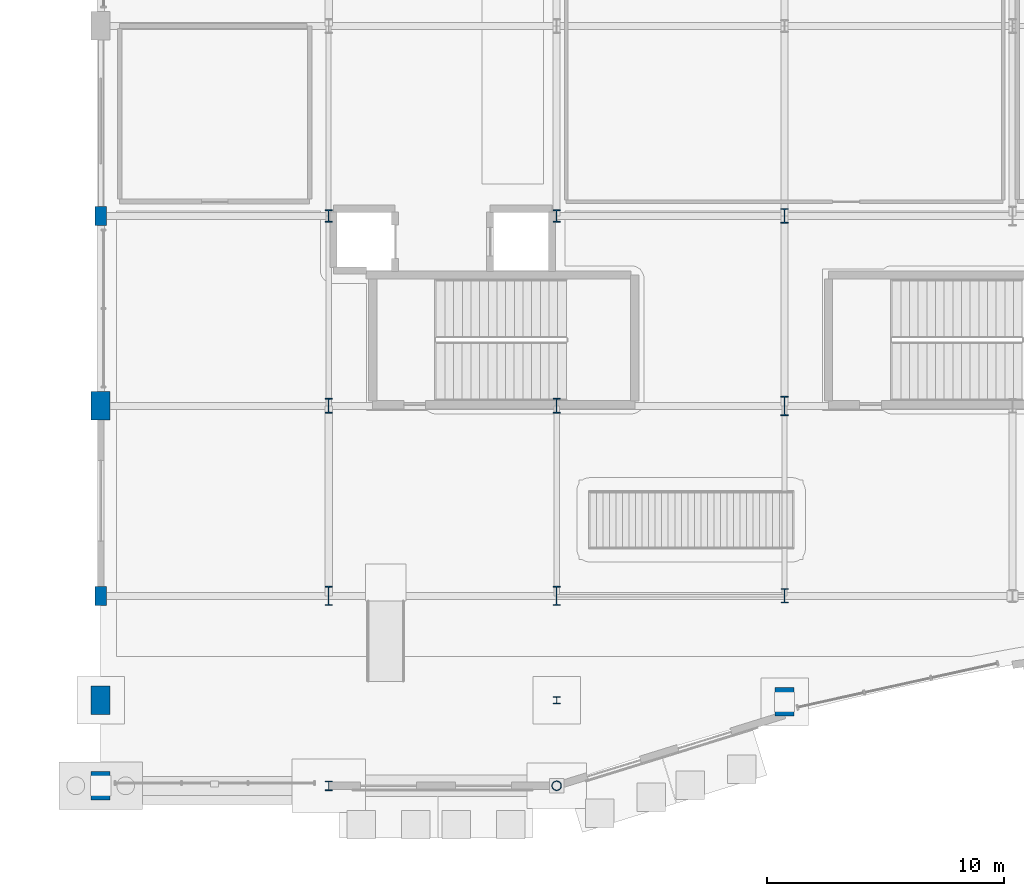
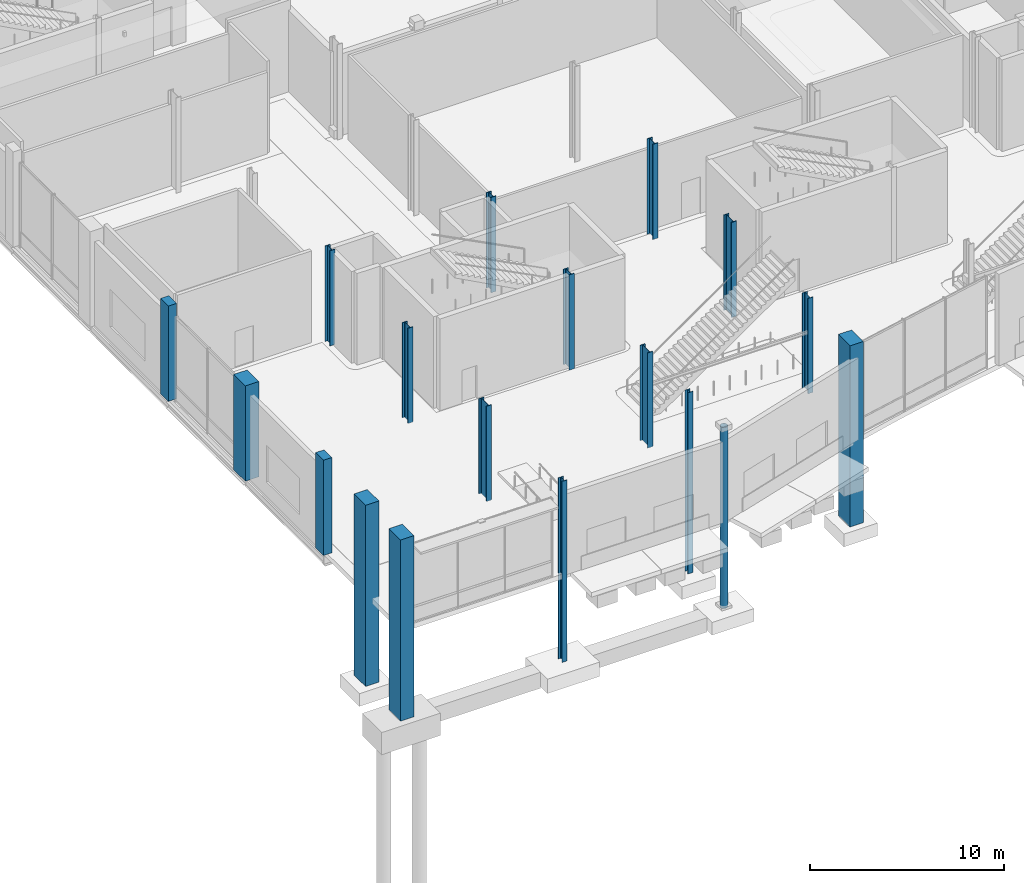
# One storey, part 6 of 124: 18 columns.
"""IFC4 building model written with IfcOpenShell, lengths in metres."""

from ifc_helpers import new_model, si_unit, direction, frame, origin, origin_2d, place, context, subcontext, project, spatial, rectangle, hollow_circle, i_section, extrude, material, material_profile, profile_set, type_object, element, save


model = new_model("IFC4")

# Units and contexts
model_context = context("Model", 3, precision=1e-05, world=origin(), true_north=direction((0.0, 1.0)))
body_context = subcontext(model_context, "Body", "Model", "MODEL_VIEW")
ifc_project = project(units=[si_unit("LENGTHUNIT", "METRE"), si_unit("AREAUNIT", "SQUARE_METRE"), si_unit("VOLUMEUNIT", "CUBIC_METRE"), si_unit("PLANEANGLEUNIT", "RADIAN"), si_unit("MASSUNIT", "GRAM", prefix="KILO")], contexts=[model_context])

# Site, building, storey
site_placement = place(None, origin())
site = spatial("IfcSite", under=ifc_project, at=site_placement, CompositionType="ELEMENT")
building_placement = place(site_placement, origin())
building = spatial("IfcBuilding", under=site, at=building_placement, Name="Danafjord Basin Convention Centre", CompositionType="ELEMENT")
storey_placement = place(building_placement, origin())
storey = spatial("IfcBuildingStorey", under=building, at=storey_placement, Name="L00", CompositionType="ELEMENT", Elevation=0.0)

# Columns
ifc_material_1 = material(Name="Steel S355", Category="steel")
ifc_material_profile_1 = material_profile(ifc_material_1, hollow_circle(Radius=0.203125, WallThickness=0.02001953125, at=origin_2d()), Name="CHS 406.4x20.0")
ifc_profile_set_1 = profile_set([ifc_material_profile_1], Name="Steel S355")
column_type_1 = type_object("IfcColumnType", Name="COL-C-CHS406", PredefinedType="COLUMN", material=ifc_profile_set_1)
column_1_placement = place(storey_placement, frame((19.199951171875, 0.0, -5.39990234375), z_axis=(0.0, 0.0, 1.0), x_axis=(1.0, 0.0, 0.0)))
element("IfcColumn", 1, at=column_1_placement, inside=storey, type_object=column_type_1, Name="L00 column C-CHS406 at (19.2, 0.0)", PredefinedType="COLUMN", context=body_context, shape_type="SweptSolid", body=[
    extrude(hollow_circle(Radius=0.203125, WallThickness=0.02001953125, at=origin_2d()), origin(), (0.0, 0.0, 1.0), 11.39990234375),
])
ifc_material_profile_2 = material_profile(ifc_material_1, i_section(OverallWidth=0.300048828125, OverallDepth=0.300048828125, WebThickness=0.010986328125, FlangeThickness=0.01904296875, FilletRadius=0.027099609375, at=origin_2d()), Name="HEB 300")
ifc_profile_set_2 = profile_set([ifc_material_profile_2], Name="Steel S355")
column_type_2 = type_object("IfcColumnType", Name="COL-C-HEB300", PredefinedType="COLUMN", material=ifc_profile_set_2)
column_2_placement = place(storey_placement, frame((19.199951171875, 3.60009765625, -5.39990234375), z_axis=(0.0, 0.0, 1.0), x_axis=(1.0, 0.0, 0.0)))
element("IfcColumn", 2, at=column_2_placement, inside=storey, type_object=column_type_2, Name="L00 column C-HEB300 at (19.2, 3.6)", PredefinedType="COLUMN", context=body_context, shape_type="SweptSolid", body=[
    extrude(i_section(OverallWidth=0.300048828125, OverallDepth=0.300048828125, WebThickness=0.010986328125, FlangeThickness=0.01904296875, FilletRadius=0.027099609375, at=origin_2d()), origin(), (0.0, 0.0, 1.0), 11.39990234375),
])
ifc_material_profile_3 = material_profile(ifc_material_1, i_section(OverallWidth=0.300048828125, OverallDepth=0.39990234375, WebThickness=0.013427734375, FlangeThickness=0.02392578125, FilletRadius=0.027099609375, at=origin_2d()), Name="HEB 400")
ifc_profile_set_3 = profile_set([ifc_material_profile_3], Name="Steel S355")
column_type_3 = type_object("IfcColumnType", Name="COL-C-HEB400", PredefinedType="COLUMN", material=ifc_profile_set_3)
column_3_placement = place(storey_placement, frame((9.60009765625, 0.0, -5.39990234375), z_axis=(0.0, 0.0, 1.0), x_axis=(1.0, 0.0, 0.0)))
element("IfcColumn", 3, at=column_3_placement, inside=storey, type_object=column_type_3, Name="L00 column C-HEB400 at (9.6, 0.0)", PredefinedType="COLUMN", context=body_context, shape_type="SweptSolid", body=[
    extrude(i_section(OverallWidth=0.300048828125, OverallDepth=0.39990234375, WebThickness=0.013427734375, FlangeThickness=0.02392578125, FilletRadius=0.027099609375, at=origin_2d()), origin(), (0.0, 0.0, 1.0), 11.39990234375),
])
ifc_material_profile_4 = material_profile(ifc_material_1, i_section(OverallWidth=0.300048828125, OverallDepth=0.60009765625, WebThickness=0.015380859375, FlangeThickness=0.030029296875, FilletRadius=0.027099609375, at=origin_2d()), Name="HEB 600")
ifc_profile_set_4 = profile_set([ifc_material_profile_4], Name="Steel S355")
column_type_4 = type_object("IfcColumnType", Name="COL-C-HEB600", PredefinedType="COLUMN", material=ifc_profile_set_4)
column_4_placement = place(storey_placement, frame((28.800048828125, 8.0, 0.0), z_axis=(0.0, 0.0, 1.0), x_axis=(1.0, 0.0, 0.0)))
element("IfcColumn", 4, at=column_4_placement, inside=storey, type_object=column_type_4, Name="L00 column C-HEB600 at (28.8, 8.0)", PredefinedType="COLUMN", context=body_context, shape_type="SweptSolid", body=[
    extrude(i_section(OverallWidth=0.300048828125, OverallDepth=0.60009765625, WebThickness=0.015380859375, FlangeThickness=0.030029296875, FilletRadius=0.027099609375, at=origin_2d()), origin(), (0.0, 0.0, 1.0), 6.0),
])
ifc_material_profile_5 = material_profile(ifc_material_1, i_section(OverallWidth=0.305908203125, OverallDepth=0.52392578125, WebThickness=0.02099609375, FlangeThickness=0.0400390625, FilletRadius=0.027099609375, at=origin_2d()), Name="HEM 500")
ifc_profile_set_5 = profile_set([ifc_material_profile_5], Name="Steel S355")
column_type_5 = type_object("IfcColumnType", Name="COL-C-HEM500", PredefinedType="COLUMN", material=ifc_profile_set_5)
for number, where, z_axis, x_axis, name in (
    (5, (9.60009765625, 24.0, 0.0), (0.0, 0.0, 1.0), (1.0, 0.0, 0.0), "L00 column C-HEM500 at (9.6, 24.0)"),
    (6, (19.199951171875, 24.0, 0.0), (0.0, 0.0, 1.0), (1.0, 0.0, 0.0), "L00 column C-HEM500 at (19.2, 24.0)"),
):
    element("IfcColumn", number, at=place(storey_placement, frame(where, z_axis=z_axis, x_axis=x_axis)), inside=storey, type_object=column_type_5, Name=name, PredefinedType="COLUMN", context=body_context, shape_type="SweptSolid", body=[
        extrude(i_section(OverallWidth=0.305908203125, OverallDepth=0.52392578125, WebThickness=0.02099609375, FlangeThickness=0.0400390625, FilletRadius=0.027099609375, at=origin_2d()), origin(), (0.0, 0.0, 1.0), 6.0),
    ])
ifc_material_profile_6 = material_profile(ifc_material_1, i_section(OverallWidth=0.304931640625, OverallDepth=0.6201171875, WebThickness=0.02099609375, FlangeThickness=0.0400390625, FilletRadius=0.027099609375, at=origin_2d()), Name="HEM 600")
ifc_profile_set_6 = profile_set([ifc_material_profile_6], Name="Steel S355")
column_type_6 = type_object("IfcColumnType", Name="COL-C-HEM600", PredefinedType="COLUMN", material=ifc_profile_set_6)
for number, where, z_axis, x_axis, name in (
    (7, (9.60009765625, 16.0, 0.0), (0.0, 0.0, 1.0), (1.0, 0.0, 0.0), "L00 column C-HEM600 at (9.6, 16.0)"),
    (8, (19.199951171875, 16.0, 0.0), (0.0, 0.0, 1.0), (1.0, 0.0, 0.0), "L00 column C-HEM600 at (19.2, 16.0)"),
    (9, (28.800048828125, 24.0, 0.0), (0.0, 0.0, 1.0), (1.0, 0.0, 0.0), "L00 column C-HEM600 at (28.8, 24.0)"),
):
    element("IfcColumn", number, at=place(storey_placement, frame(where, z_axis=z_axis, x_axis=x_axis)), inside=storey, type_object=column_type_6, Name=name, PredefinedType="COLUMN", context=body_context, shape_type="SweptSolid", body=[
        extrude(i_section(OverallWidth=0.304931640625, OverallDepth=0.6201171875, WebThickness=0.02099609375, FlangeThickness=0.0400390625, FilletRadius=0.027099609375, at=origin_2d()), origin(), (0.0, 0.0, 1.0), 6.0),
    ])
ifc_material_profile_7 = material_profile(ifc_material_1, i_section(OverallWidth=0.302978515625, OverallDepth=0.81396484375, WebThickness=0.02099609375, FlangeThickness=0.0400390625, FilletRadius=0.030029296875, at=origin_2d()), Name="HEM 800")
ifc_profile_set_7 = profile_set([ifc_material_profile_7], Name="Steel S355")
column_type_7 = type_object("IfcColumnType", Name="COL-C-HEM800", PredefinedType="COLUMN", material=ifc_profile_set_7)
for number, where, z_axis, x_axis, name in (
    (10, (9.60009765625, 8.0, 0.0), (0.0, 0.0, 1.0), (1.0, 0.0, 0.0), "L00 column C-HEM800 at (9.6, 8.0)"),
    (11, (19.199951171875, 8.0, 0.0), (0.0, 0.0, 1.0), (1.0, 0.0, 0.0), "L00 column C-HEM800 at (19.2, 8.0)"),
    (12, (28.800048828125, 16.0, 0.0), (0.0, 0.0, 1.0), (1.0, 0.0, 0.0), "L00 column C-HEM800 at (28.8, 16.0)"),
):
    element("IfcColumn", number, at=place(storey_placement, frame(where, z_axis=z_axis, x_axis=x_axis)), inside=storey, type_object=column_type_7, Name=name, PredefinedType="COLUMN", context=body_context, shape_type="SweptSolid", body=[
        extrude(i_section(OverallWidth=0.302978515625, OverallDepth=0.81396484375, WebThickness=0.02099609375, FlangeThickness=0.0400390625, FilletRadius=0.030029296875, at=origin_2d()), origin(), (0.0, 0.0, 1.0), 6.0),
    ])
ifc_material_2 = material(Name="Precast concrete C45/55", Category="concrete")
ifc_material_profile_8 = material_profile(ifc_material_2, rectangle(XDim=0.800048828125, YDim=1.199951171875, at=origin_2d()), Name="RC 1200x800")
ifc_profile_set_8 = profile_set([ifc_material_profile_8], Name="Precast concrete C45/55")
column_type_8 = type_object("IfcColumnType", Name="COL-C-PIL1200", PredefinedType="PILASTER", material=ifc_profile_set_8)
column_5_placement = place(storey_placement, frame((0.0, 0.0, -5.39990234375), z_axis=(0.0, 0.0, 1.0), x_axis=(1.0, 0.0, 0.0)))
element("IfcColumn", 13, at=column_5_placement, inside=storey, type_object=column_type_8, Name="L00 column C-PIL1200 at (0.0, 0.0)", PredefinedType="PILASTER", context=body_context, shape_type="SweptSolid", body=[
    extrude(rectangle(XDim=0.800048828125, YDim=1.199951171875, at=origin_2d()), origin(), (0.0, 0.0, 1.0), 11.39990234375),
])
column_6_placement = place(storey_placement, frame((0.0, 16.0, 0.0), z_axis=(0.0, 0.0, 1.0), x_axis=(1.0, 0.0, 0.0)))
element("IfcColumn", 14, at=column_6_placement, inside=storey, type_object=column_type_8, Name="L00 column C-PIL1200 at (0.0, 16.0)", PredefinedType="PILASTER", context=body_context, shape_type="SweptSolid", body=[
    extrude(rectangle(XDim=0.800048828125, YDim=1.199951171875, at=origin_2d()), origin(), (0.0, 0.0, 1.0), 6.0),
])
for number, where, z_axis, x_axis, name in (
    (15, (28.800048828125, 3.530029296875, -5.39990234375), (0.0, 0.0, 1.0), (1.0, 0.0, 0.0), "L00 column C-PIL1200 at (28.8, 3.5)"),
    (16, (0.0, 3.60009765625, -5.39990234375), (0.0, 0.0, 1.0), (1.0, 0.0, 0.0), "L00 column C-PIL1200 at (0.0, 3.6)"),
):
    element("IfcColumn", number, at=place(storey_placement, frame(where, z_axis=z_axis, x_axis=x_axis)), inside=storey, type_object=column_type_8, Name=name, PredefinedType="PILASTER", context=body_context, shape_type="SweptSolid", body=[
        extrude(rectangle(XDim=0.800048828125, YDim=1.199951171875, at=origin_2d()), origin(), (0.0, 0.0, 1.0), 11.39990234375),
    ])
ifc_material_profile_9 = material_profile(ifc_material_2, rectangle(XDim=0.5, YDim=0.800048828125, at=origin_2d()), Name="PCB 500x800")
ifc_profile_set_9 = profile_set([ifc_material_profile_9], Name="Precast concrete C45/55")
column_type_9 = type_object("IfcColumnType", Name="COL-C-PIL800", PredefinedType="PILASTER", material=ifc_profile_set_9)
for number, where, z_axis, x_axis, name in (
    (17, (0.0, 8.0, 0.0), (0.0, 0.0, 1.0), (1.0, 0.0, 0.0), "L00 column C-PIL800 at (0.0, 8.0)"),
    (18, (0.0, 24.0, 0.0), (0.0, 0.0, 1.0), (1.0, 0.0, 0.0), "L00 column C-PIL800 at (0.0, 24.0)"),
):
    element("IfcColumn", number, at=place(storey_placement, frame(where, z_axis=z_axis, x_axis=x_axis)), inside=storey, type_object=column_type_9, Name=name, PredefinedType="PILASTER", context=body_context, shape_type="SweptSolid", body=[
        extrude(rectangle(XDim=0.5, YDim=0.800048828125, at=origin_2d()), origin(), (0.0, 0.0, 1.0), 6.0),
    ])

save(model, "model.ifc")
